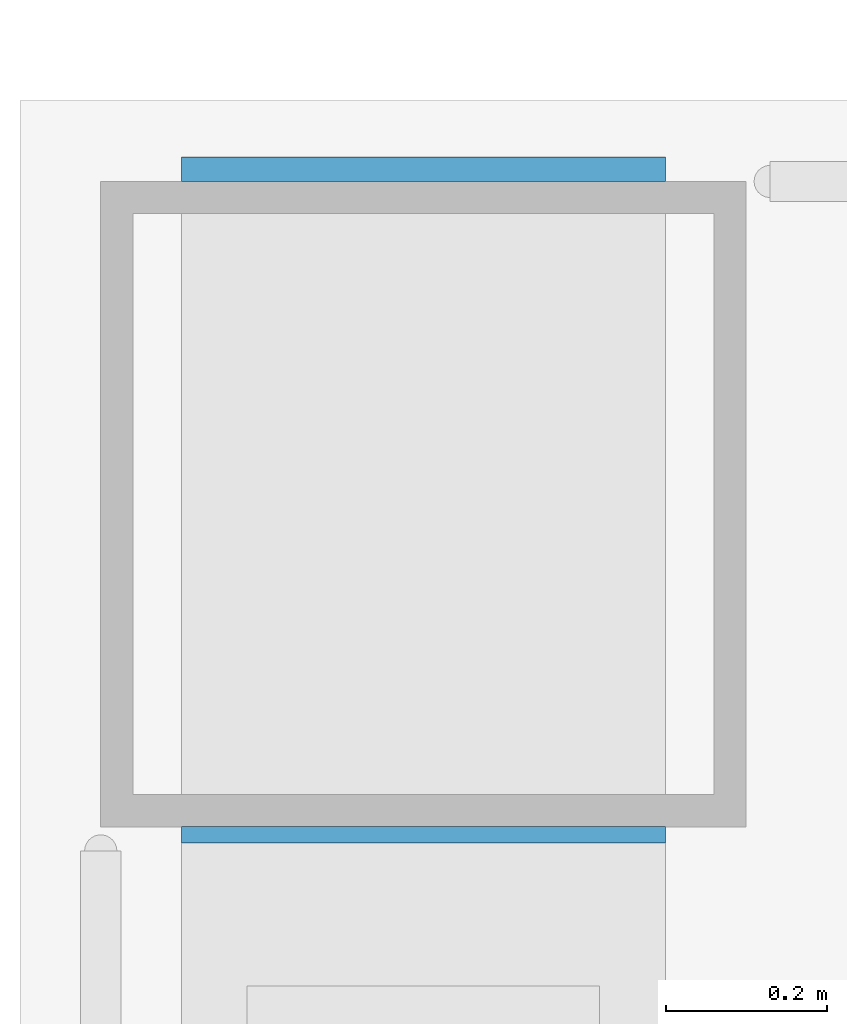
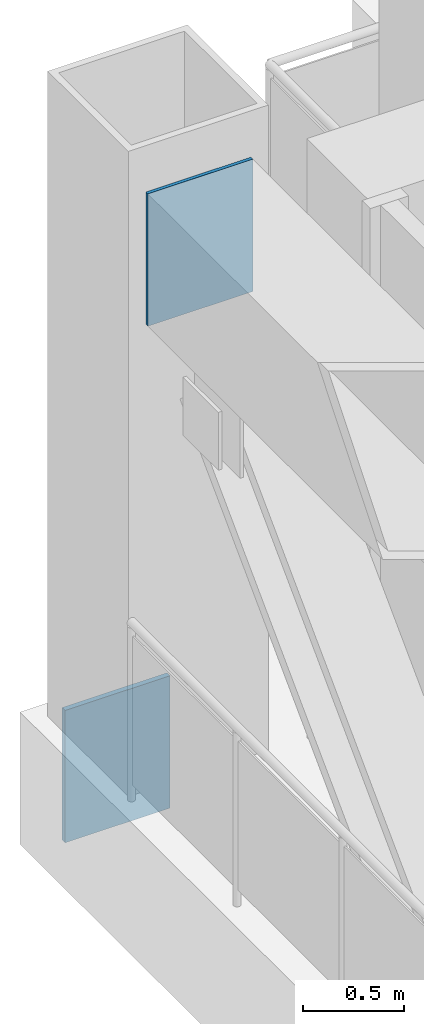
# One storey, part 14 of 25: 2 discrete accessories.
"""IFC4 building model written with IfcOpenShell, lengths in metres."""

from ifc_helpers import new_model, si_unit, direction, frame, origin, origin_2d, place, context, subcontext, project, spatial, rectangle, extrude, element, save


model = new_model("IFC4")

# Units and contexts
model_context = context("Model", 3, precision=1e-05, world=origin(), true_north=direction((0.0, 1.0)))
body_context = subcontext(model_context, "Body", "Model", "MODEL_VIEW")
ifc_project = project(units=[si_unit("LENGTHUNIT", "METRE"), si_unit("AREAUNIT", "SQUARE_METRE"), si_unit("VOLUMEUNIT", "CUBIC_METRE"), si_unit("PLANEANGLEUNIT", "RADIAN"), si_unit("MASSUNIT", "GRAM", prefix="KILO")], contexts=[model_context])

# Site, building, storey
site_placement = place(None, origin())
site = spatial("IfcSite", under=ifc_project, at=site_placement, CompositionType="ELEMENT")
building_placement = place(site_placement, origin())
building = spatial("IfcBuilding", under=site, at=building_placement, Name="Vidyagriha Tower", CompositionType="ELEMENT")
storey_placement = place(building_placement, frame((0.0, 0.0, 115.89990234375)))
storey = spatial("IfcBuildingStorey", under=building, at=storey_placement, Name="L29", CompositionType="ELEMENT", Elevation=115.89990234375)

# Discrete accessories
discrete_accessory_1_placement = place(storey_placement, frame((-33.5, 15.4150390625, -0.7998046875), z_axis=(0.0, 0.0, 1.0), x_axis=(0.0, 1.0, 0.0)))
element("IfcDiscreteAccessory", 1, at=discrete_accessory_1_placement, inside=storey, Name="Chord end plate", ObjectType="END PLATE", PredefinedType="USERDEFINED", context=body_context, shape_type="SweptSolid", body=[
    extrude(rectangle(XDim=0.030029296875, YDim=0.60009765625, at=origin_2d()), origin(), (0.0, 0.0, 1.0), 0.800048828125),
])
discrete_accessory_2_placement = place(storey_placement, frame((-33.5, 14.590087890625, 2.8203125), z_axis=(0.0, 0.0, 1.0), x_axis=(0.0, 1.0, 0.0)))
element("IfcDiscreteAccessory", 2, at=discrete_accessory_2_placement, inside=storey, Name="End plate ASTM A572 Grade 50 20mm", ObjectType="END PLATE", PredefinedType="USERDEFINED", context=body_context, shape_type="SweptSolid", body=[
    extrude(rectangle(XDim=0.02001953125, YDim=0.60009765625, at=origin_2d()), origin(), (0.0, 0.0, 1.0), 0.800048828125),
])

save(model, "model.ifc")
